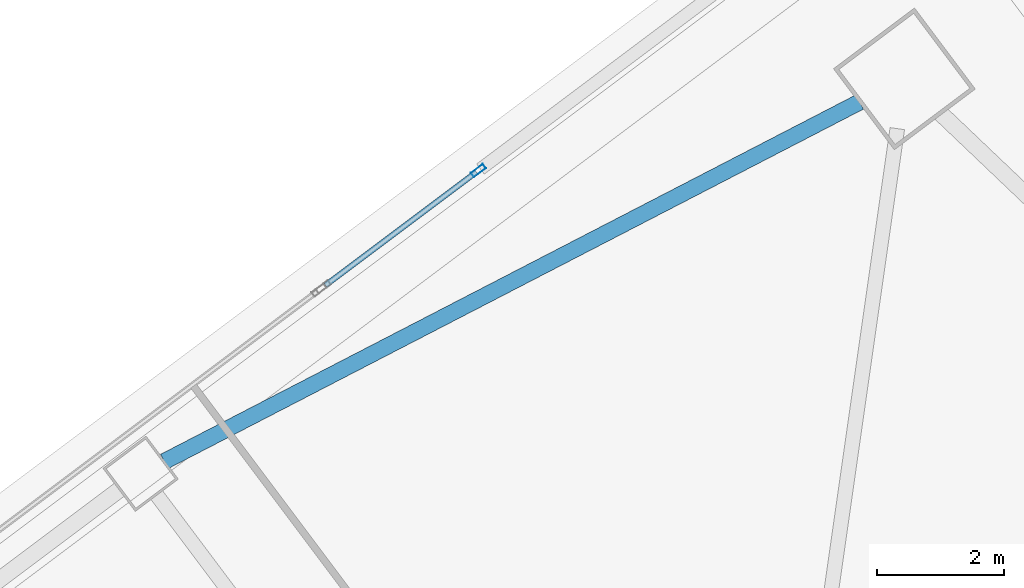
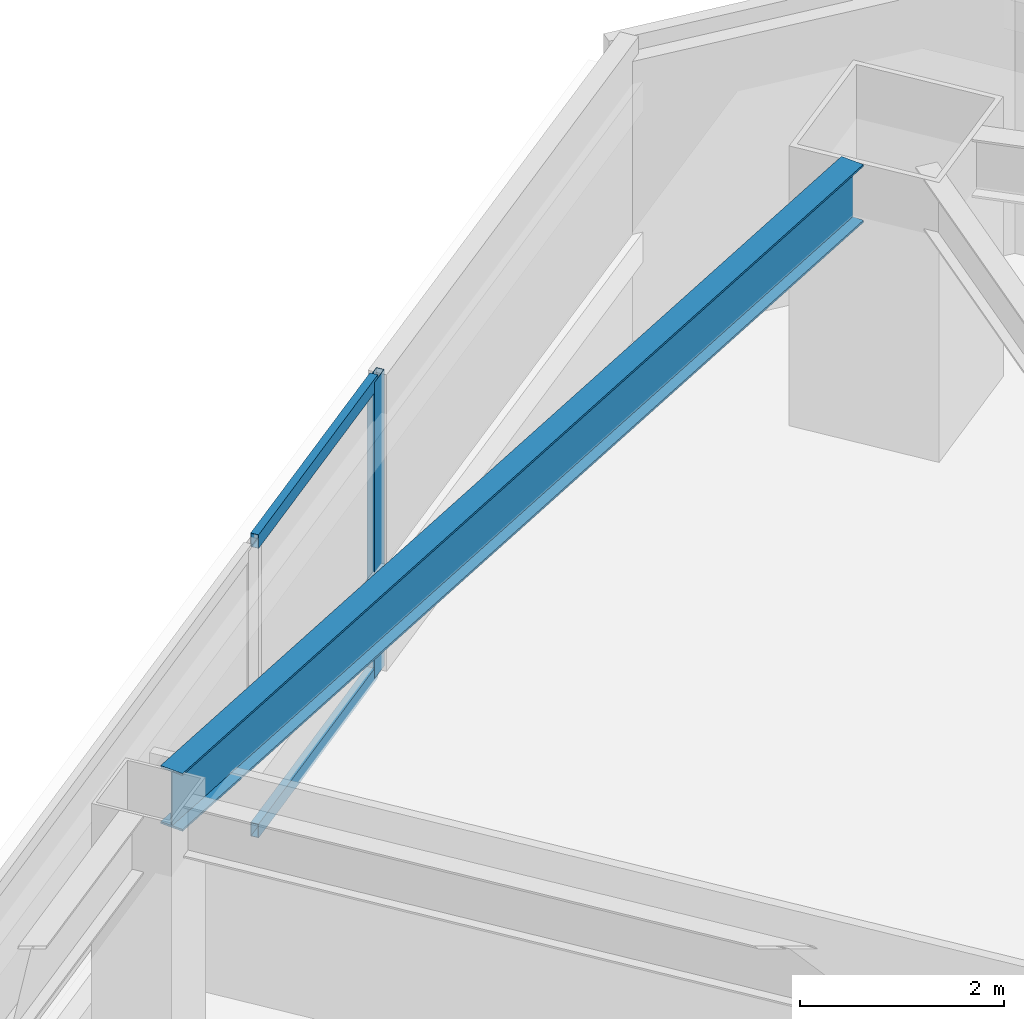
# One storey, part 31 of 48: 3 members, 1 beam, 1 element without a shape of its own.
"""IFC4 building model written with IfcOpenShell, lengths in metres."""

from ifc_helpers import new_model, si_unit, direction, frame, origin, origin_2d, place, context, subcontext, project, spatial, hollow_rectangle, i_section, extrude, material, material_profile, profile_set, type_object, element, aggregate, save


model = new_model("IFC4")

# Units and contexts
model_context = context("Model", 3, precision=1e-05, world=origin(), true_north=direction((0.0, 1.0)))
body_context = subcontext(model_context, "Body", "Model", "MODEL_VIEW")
ifc_project = project(units=[si_unit("LENGTHUNIT", "METRE"), si_unit("AREAUNIT", "SQUARE_METRE"), si_unit("VOLUMEUNIT", "CUBIC_METRE"), si_unit("PLANEANGLEUNIT", "RADIAN"), si_unit("MASSUNIT", "GRAM", prefix="KILO")], contexts=[model_context])

# Site, building, storey
site_placement = place(None, origin())
site = spatial("IfcSite", under=ifc_project, at=site_placement, CompositionType="ELEMENT")
building_placement = place(site_placement, origin())
building = spatial("IfcBuilding", under=site, at=building_placement, Name="Tashvorn Skyway Center", CompositionType="ELEMENT")
storey_placement = place(building_placement, frame((0.0, 0.0, 56.550048828125)))
storey = spatial("IfcBuildingStorey", under=building, at=storey_placement, Name="L14", CompositionType="ELEMENT", Elevation=56.550048828125)

# Beam
ifc_material_1 = material(Name="Steel ASTM A992 Grade 50", Category="steel")
ifc_material_profile_1 = material_profile(ifc_material_1, i_section(OverallWidth=0.256103515625, OverallDepth=0.693115234375, WebThickness=0.014404296875, FlangeThickness=0.023681640625, at=origin_2d()), Name="W27X114")
ifc_profile_set_1 = profile_set([ifc_material_profile_1], Name="Steel ASTM A992 Grade 50")
beam_type = type_object("IfcBeamType", Name="BM-SPANDREL-W27X114", PredefinedType="SPANDREL", material=ifc_profile_set_1)
beam_placement = place(storey_placement, frame((117.0537109375, 57.954833984375, 3.00341796875), z_axis=(-0.888315637339, -0.459233413919, 0.0), x_axis=(0.459233413919, -0.888315637339, 0.0)))
element("IfcBeam", 1, at=beam_placement, inside=storey, type_object=beam_type, Name="Tower 2 L14 Spandrel Beam 07", PredefinedType="SPANDREL", context=body_context, shape_type="SweptSolid", body=[
    extrude(i_section(OverallWidth=0.256103515625, OverallDepth=0.693115234375, WebThickness=0.014404296875, FlangeThickness=0.023681640625, at=origin_2d()), origin(), (0.0, 0.0, 1.0), 12.37255859375),
])

# Curtain wall, members
ifc_material_2 = material(Name="Thermally broken bronze-anodized aluminium 6063-T6", Category="aluminium")
curtain_wall_type = type_object("IfcCurtainWallType", Name="CW-CW-Z1", PredefinedType="NOTDEFINED", material=ifc_material_2)
curtain_wall_placement = place(storey_placement, origin())
curtain_wall = element("IfcCurtainWall", 2, at=curtain_wall_placement, inside=storey, type_object=curtain_wall_type, Name="Tower 2 L14 North Unitised Curtain Wall Glazing Group 3", PredefinedType="NOTDEFINED")
ifc_material_profile_2 = material_profile(ifc_material_2, hollow_rectangle(XDim=0.0849609375, YDim=0.239990234375, WallThickness=0.0048828125, at=origin_2d()), Name="ALU-MULL-85x240")
ifc_profile_set_2 = profile_set([ifc_material_profile_2], Name="Thermally broken bronze-anodized aluminium 6063-T6")
member_type_1 = type_object("IfcMemberType", Name="CWM-CW-Z1", PredefinedType="MULLION", material=ifc_profile_set_2)
member_1_placement = place(storey_placement, frame((111.02734375, 56.87060546875, 0.0), z_axis=(0.0, 0.0, 1.0), x_axis=(-0.600005084776, 0.799996186392, 0.0)))
member_1 = element("IfcMember", 3, at=member_1_placement, type_object=member_type_1, Name="CW-Z1 mullion 2", PredefinedType="MULLION", context=body_context, shape_type="SweptSolid", body=[
    extrude(hollow_rectangle(XDim=0.0849609375, YDim=0.239990234375, WallThickness=0.0048828125, at=origin_2d()), origin(), (0.0, 0.0, 1.0), 3.550048828125),
])
ifc_material_profile_3 = material_profile(ifc_material_2, hollow_rectangle(XDim=0.0849609375, YDim=0.1650390625, WallThickness=0.0048828125, at=origin_2d()), Name="ALU-TRAN-85x165")
ifc_profile_set_3 = profile_set([ifc_material_profile_3], Name="Thermally broken bronze-anodized aluminium 6063-T6")
member_type_2 = type_object("IfcMemberType", Name="CWT-CW-Z1", PredefinedType="USERDEFINED", material=ifc_profile_set_3)
member_2_placement = place(storey_placement, frame((108.612060546875, 55.05908203125, 0.04248046875), z_axis=(0.800019684286, 0.599973753388, 0.0), x_axis=(-0.599973753388, 0.800019684286, 0.0)))
member_2 = element("IfcMember", 4, at=member_2_placement, type_object=member_type_2, Name="CW-Z1 transom 1.1", ObjectType="TRANSOM", PredefinedType="USERDEFINED", context=body_context, shape_type="SweptSolid", body=[
    extrude(hollow_rectangle(XDim=0.0849609375, YDim=0.1650390625, WallThickness=0.0048828125, at=origin_2d()), origin(), (0.0, 0.0, 1.0), 2.9765625),
])
member_3_placement = place(storey_placement, frame((108.612060546875, 55.05908203125, 3.507568359375), z_axis=(0.800019684286, 0.599973753388, 0.0), x_axis=(-0.599973753388, 0.800019684286, 0.0)))
member_3 = element("IfcMember", 5, at=member_3_placement, type_object=member_type_2, Name="CW-Z1 transom 1.2", ObjectType="TRANSOM", PredefinedType="USERDEFINED", context=body_context, shape_type="SweptSolid", body=[
    extrude(hollow_rectangle(XDim=0.0849609375, YDim=0.1650390625, WallThickness=0.0048828125, at=origin_2d()), origin(), (0.0, 0.0, 1.0), 2.9765625),
])
aggregate(curtain_wall, [member_1, member_2, member_3])

save(model, "model.ifc")
